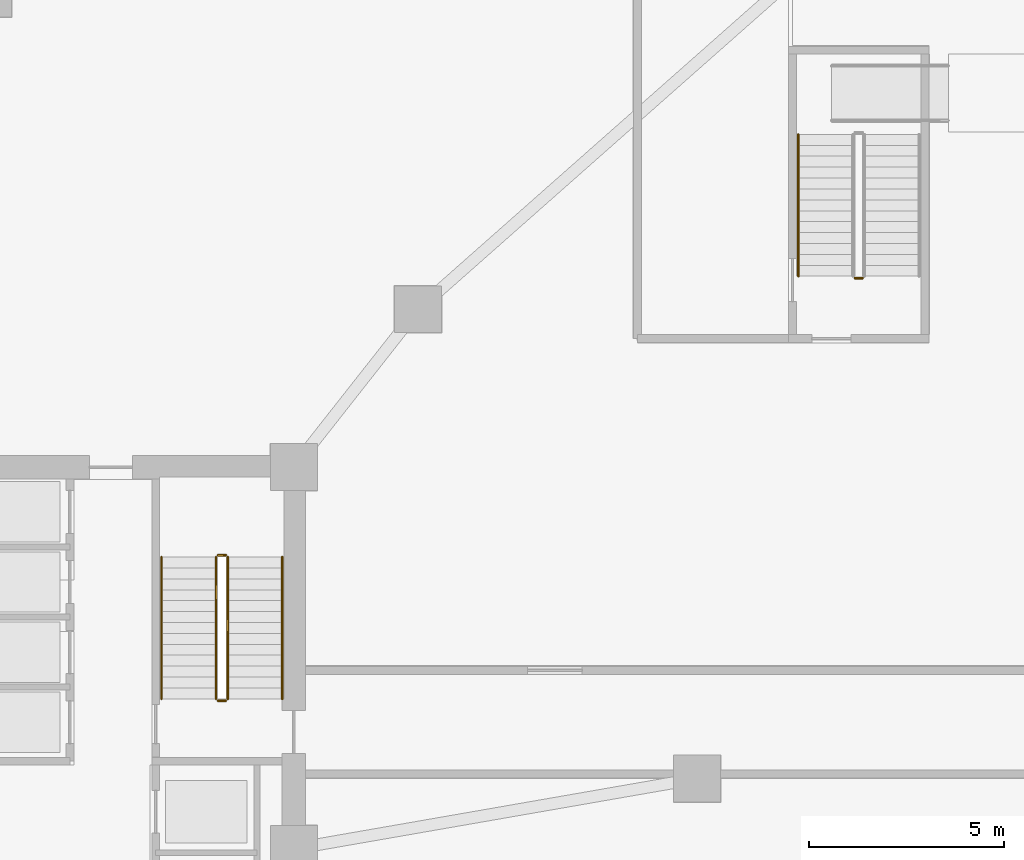
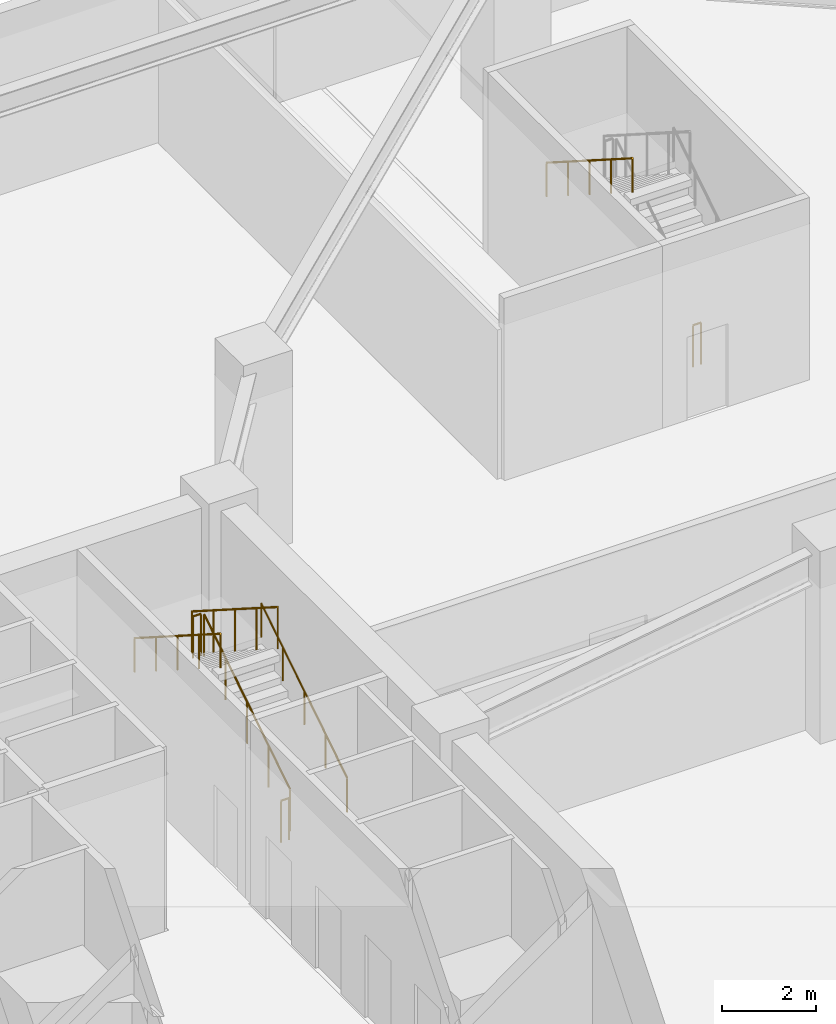
# One storey, part 17 of 22: 8 railings.
"""IFC4 building model written with IfcOpenShell, lengths in metres."""

import ifcopenshell
import ifcopenshell.guid

model = None  # the IFC model being written
_history = None  # IfcOwnerHistory: only IFC2X3 demands one
_inside = {}  # id of a spatial element -> (the spatial element, [elements in it])
_under = {}  # id of a project, library or spatial element -> (it, [spatial elements below it])
_declared = {}  # id of a project -> (the project, [libraries it declares])
_typed = {}  # id of a type object -> (the type object, [elements of that type])
_made_of = {}  # id of a material, layer set ... -> (it, [elements and type objects made of it])


def new_model(schema):
    """Start an empty IFC model of exactly this schema.

    Asked for "IFC4X3", IfcOpenShell would pick the latest addendum, in which some entities
    have other attributes; the version numbers below select the first issue.
    IFC2X3 requires an IfcOwnerHistory on every rooted entity: one is made here for all.
    """
    global model, _history
    if schema == "IFC4X3":
        model = ifcopenshell.file(schema_version=(4, 3, 0, 0))
    else:
        model = ifcopenshell.file(schema=schema)
    _inside.clear()
    _under.clear()
    _declared.clear()
    _typed.clear()
    _made_of.clear()
    _history = None
    if model.schema == "IFC2X3":
        org = make("IfcOrganization", Name="unknown")
        user = make(
            "IfcPersonAndOrganization",
            ThePerson=make("IfcPerson", FamilyName="unknown"),
            TheOrganization=org,
        )
        app = make(
            "IfcApplication",
            ApplicationDeveloper=org,
            Version="unknown",
            ApplicationFullName="unknown",
            ApplicationIdentifier="unknown",
        )
        _history = make(
            "IfcOwnerHistory",
            OwningUser=user,
            OwningApplication=app,
            ChangeAction="ADDED",
            CreationDate=0,
        )
    return model


def make(cls, **values):
    """One entity of the class cls with the attributes given. An attribute that is None is left unset."""
    return model.create_entity(
        cls, **{name: value for name, value in values.items() if value is not None}
    )


def rooted(cls, **values):
    """An entity with a GlobalId (a new one), such as an element, a storey or a relation."""
    return make(cls, GlobalId=ifcopenshell.guid.new(), OwnerHistory=_history, **values)


def si_unit(unit_type, name, prefix=None):
    """IfcSIUnit, for example si_unit("LENGTHUNIT", "METRE", prefix="MILLI")."""
    return make("IfcSIUnit", UnitType=unit_type, Prefix=prefix, Name=name)


def assignment(units):
    """IfcUnitAssignment: the units of a project."""
    return None if units is None else make("IfcUnitAssignment", Units=units)


def point(xyz):
    """IfcCartesianPoint."""
    return None if xyz is None else make("IfcCartesianPoint", Coordinates=xyz)


def direction(xyz):
    """IfcDirection."""
    return None if xyz is None else make("IfcDirection", DirectionRatios=xyz)


def frame(location, z_axis=None, x_axis=None):
    """IfcAxis2Placement3D, a coordinate frame: its origin and axes. An axis left out is left unset."""
    return make(
        "IfcAxis2Placement3D",
        Location=point(location),
        Axis=direction(z_axis),
        RefDirection=direction(x_axis),
    )


def frame_2d(location, x_axis=None):
    """IfcAxis2Placement2D, a coordinate frame in the plane: its origin and x axis."""
    return make(
        "IfcAxis2Placement2D", Location=point(location), RefDirection=direction(x_axis)
    )


def origin():
    """The frame at (0, 0, 0) with its axes left unset."""
    return frame((0.0, 0.0, 0.0))


def origin_2d():
    """The frame at (0, 0) in the plane with its x axis left unset."""
    return frame_2d((0.0, 0.0))


def place(relative_to, where):
    """IfcLocalPlacement: puts the frame where relative to a parent placement (None: the world)."""
    return make(
        "IfcLocalPlacement", PlacementRelTo=relative_to, RelativePlacement=where
    )


def context(
    kind, dimensions, precision=None, world=None, true_north=None, identifier=None
):
    """IfcGeometricRepresentationContext, for example the 3D "Model" context."""
    return make(
        "IfcGeometricRepresentationContext",
        ContextIdentifier=identifier,
        ContextType=kind,
        CoordinateSpaceDimension=dimensions,
        Precision=precision,
        WorldCoordinateSystem=world,
        TrueNorth=true_north,
    )


def subcontext(parent, identifier, kind, view, scale=None):
    """IfcGeometricRepresentationSubContext, for example "Body" below "Model"."""
    return make(
        "IfcGeometricRepresentationSubContext",
        ContextIdentifier=identifier,
        ContextType=kind,
        ParentContext=parent,
        TargetScale=scale,
        TargetView=view,
    )


def project(units=None, contexts=None):
    """IfcProject with its units and contexts."""
    return rooted(
        "IfcProject",
        Name="project",
        RepresentationContexts=contexts,
        UnitsInContext=assignment(units),
    )


def spatial(cls, under=None, at=None, **own):
    """A site, building, storey or space (cls), placed at a placement, below another one or the project."""
    s = rooted(cls, ObjectPlacement=at, **own)
    if under is not None:
        _under.setdefault(under.id(), (under, []))[1].append(s)
    return s


def profile(cls, at=None, kind="AREA", **sizes):
    """A parametric profile (cls). Its sizes go by their IFC names, for example OverallWidth=200.0."""
    return make(cls, ProfileType=kind, Position=at, **sizes)


def circle(**sizes):
    """IfcCircleProfileDef."""
    return profile("IfcCircleProfileDef", **sizes)


def extrude(swept, where, along, depth):
    """IfcExtrudedAreaSolid: the profile swept, set in the frame where, extruded along a direction by depth."""
    return make(
        "IfcExtrudedAreaSolid",
        SweptArea=swept,
        Position=where,
        ExtrudedDirection=direction(along),
        Depth=depth,
    )


def shape(context_of_items, identifier, shape_type, items):
    """IfcShapeRepresentation: the items that make up one representation, for example the "Body"."""
    return make(
        "IfcShapeRepresentation",
        ContextOfItems=context_of_items,
        RepresentationIdentifier=identifier,
        RepresentationType=shape_type,
        Items=items,
    )


def material(Name=None, Category=None):
    """IfcMaterial."""
    return make("IfcMaterial", Name=Name, Category=Category)


def made_of(thing, what):
    """Note that an element or type object is made of a material, layer set ...; save() writes the relation."""
    if what is not None:
        _made_of.setdefault(what.id(), (what, []))[1].append(thing)
    return thing


def type_object(cls, material=None, **own):
    """A type object (cls), such as IfcWallType, which elements share."""
    return made_of(rooted(cls, **own), material)


def element(
    cls,
    number,
    at=None,
    inside=None,
    cuts=None,
    type_object=None,
    material=None,
    context=None,
    identifier="Body",
    shape_type=None,
    held_by="IfcProductDefinitionShape",
    body=None,
    shapes=None,
    **own,
):
    """One element of the class cls, such as IfcWall. Its Tag is "e" and its number.

    at: its placement. inside: the storey or other place that contains it. cuts: it is an
    opening in that element (IfcRelVoidsElement). A single representation is given by context,
    identifier, shape_type and body (its items); several are given by shapes. held_by: the class
    of the entity that holds the representations. save() writes the other relations.
    """
    e = rooted(cls, Tag="e%d" % number, ObjectPlacement=at, **own)
    if body is not None:
        shapes = [shape(context, identifier, shape_type, body)]
    if shapes is not None:
        e.Representation = make(held_by, Representations=shapes)
    if inside is not None:
        _inside.setdefault(inside.id(), (inside, []))[1].append(e)
    if cuts is not None:
        rooted(
            "IfcRelVoidsElement", RelatingBuildingElement=cuts, RelatedOpeningElement=e
        )
    if type_object is not None:
        _typed.setdefault(type_object.id(), (type_object, []))[1].append(e)
    return made_of(e, material)


def aggregate(whole, parts):
    """IfcRelAggregates: a whole, such as a stair, and the parts it consists of."""
    return rooted("IfcRelAggregates", RelatingObject=whole, RelatedObjects=parts)


def save(model, path):
    """Write the relations noted so far, then the file.

    IfcRelAggregates (storeys below a building ...), IfcRelContainedInSpatialStructure (elements
    in a storey), IfcRelDefinesByType, IfcRelAssociatesMaterial and IfcRelDeclares: one each for
    every whole, place, type object, material and project.
    """
    for whole, parts in _under.values():
        aggregate(whole, parts)
    for where, things in _inside.values():
        rooted(
            "IfcRelContainedInSpatialStructure",
            RelatedElements=things,
            RelatingStructure=where,
        )
    for kind, things in _typed.values():
        rooted("IfcRelDefinesByType", RelatedObjects=things, RelatingType=kind)
    for what, things in _made_of.values():
        rooted("IfcRelAssociatesMaterial", RelatedObjects=things, RelatingMaterial=what)
    for by, libraries in _declared.values():
        rooted("IfcRelDeclares", RelatingContext=by, RelatedDefinitions=libraries)
    model.write(path)


model = new_model("IFC4")

# Units and contexts
model_context = context("Model", 3, precision=1e-05, world=origin(), true_north=direction((0.0, 1.0)))
body_context = subcontext(model_context, "Body", "Model", "MODEL_VIEW")
ifc_project = project(units=[si_unit("LENGTHUNIT", "METRE"), si_unit("AREAUNIT", "SQUARE_METRE"), si_unit("VOLUMEUNIT", "CUBIC_METRE"), si_unit("PLANEANGLEUNIT", "RADIAN"), si_unit("MASSUNIT", "GRAM", prefix="KILO")], contexts=[model_context])

# Site, building, storey
site_placement = place(None, origin())
site = spatial("IfcSite", under=ifc_project, at=site_placement, CompositionType="ELEMENT")
building_placement = place(site_placement, origin())
building = spatial("IfcBuilding", under=site, at=building_placement, Name="Savorim Split Tower", CompositionType="ELEMENT")
storey_placement = place(building_placement, origin())
storey = spatial("IfcBuildingStorey", under=building, at=storey_placement, Name="L00", CompositionType="ELEMENT", Elevation=0.0)

# Railings
ifc_material = material(Name="Galvanised Painted Steel Balustrade", Category="steel")
railing_type_1 = type_object("IfcRailingType", Name="RLG-HR-900", PredefinedType="HANDRAIL", material=ifc_material)
railing_1_placement = place(storey_placement, frame((7.39990234375, 4.25, 0.178466796875)))
element("IfcRailing", 1, at=railing_1_placement, inside=storey, type_object=railing_type_1, Name="L00 ST-2 stair handrail 1", PredefinedType="HANDRAIL", context=body_context, shape_type="SweptSolid", body=[
    extrude(circle(Radius=0.02392578125, at=origin_2d()), frame((0.0, 0.0, 0.8759765625), z_axis=(0.0, 0.843111507901, 0.53773877045), x_axis=(-1.0, 0.0, 0.0)), (0.0, 0.0, 1.0), 4.317138671875),
    extrude(circle(Radius=0.02099609375, at=origin_2d()), origin(), (0.0, 0.0, 1.0), 0.851806640625),
    extrude(circle(Radius=0.02099609375, at=origin_2d()), frame((0.0, 0.909912109375, 0.580322265625)), (0.0, 0.0, 1.0), 0.851806640625),
    extrude(circle(Radius=0.02099609375, at=origin_2d()), frame((0.0, 1.81982421875, 1.16064453125)), (0.0, 0.0, 1.0), 0.851806640625),
    extrude(circle(Radius=0.02099609375, at=origin_2d()), frame((0.0, 2.72998046875, 1.7412109375)), (0.0, 0.0, 1.0), 0.851806640625),
    extrude(circle(Radius=0.02099609375, at=origin_2d()), frame((0.0, 3.639892578125, 2.321533203125)), (0.0, 0.0, 1.0), 0.851806640625),
])
for number, where, name in (
    (2, (4.300048828125, 7.889892578125, 2.678466796875), "L00 ST-2 stair handrail 2"),
    (3, (20.64990234375, 18.739990234375, 2.678466796875), "L00 ST-3 stair handrail 2"),
):
    element("IfcRailing", number, at=place(storey_placement, frame(where)), inside=storey, type_object=railing_type_1, Name=name, PredefinedType="HANDRAIL", context=body_context, shape_type="SweptSolid", body=[
        extrude(circle(Radius=0.02392578125, at=origin_2d()), frame((0.0, 0.0, 0.8759765625), z_axis=(0.0, -0.843111507901, 0.53773877045), x_axis=(1.0, 0.0, 0.0)), (0.0, 0.0, 1.0), 4.317138671875),
        extrude(circle(Radius=0.02099609375, at=origin_2d()), origin(), (0.0, 0.0, 1.0), 0.851806640625),
        extrude(circle(Radius=0.02099609375, at=origin_2d()), frame((0.0, -0.909912109375, 0.580322265625)), (0.0, 0.0, 1.0), 0.851806640625),
        extrude(circle(Radius=0.02099609375, at=origin_2d()), frame((0.0, -1.81982421875, 1.16064453125)), (0.0, 0.0, 1.0), 0.851806640625),
        extrude(circle(Radius=0.02099609375, at=origin_2d()), frame((0.0, -2.72998046875, 1.7412109375)), (0.0, 0.0, 1.0), 0.851806640625),
        extrude(circle(Radius=0.02099609375, at=origin_2d()), frame((0.0, -3.639892578125, 2.321533203125)), (0.0, 0.0, 1.0), 0.851806640625),
    ])
railing_type_2 = type_object("IfcRailingType", Name="RLG-STG-1100", PredefinedType="BALUSTRADE", material=ifc_material)
railing_2_placement = place(storey_placement, frame((6.0, 4.25, 0.178466796875)))
element("IfcRailing", 4, at=railing_2_placement, inside=storey, type_object=railing_type_2, Name="L00 ST-2 stair guard 1", PredefinedType="BALUSTRADE", context=body_context, shape_type="SweptSolid", body=[
    extrude(circle(Radius=0.02392578125, at=origin_2d()), frame((0.0, 0.0, 1.076171875), z_axis=(0.0, 0.843111507901, 0.53773877045), x_axis=(-1.0, 0.0, 0.0)), (0.0, 0.0, 1.0), 4.317138671875),
    extrude(circle(Radius=0.02099609375, at=origin_2d()), origin(), (0.0, 0.0, 1.0), 1.052001953125),
    extrude(circle(Radius=0.02099609375, at=origin_2d()), frame((0.0, 0.909912109375, 0.580322265625)), (0.0, 0.0, 1.0), 1.052001953125),
    extrude(circle(Radius=0.02099609375, at=origin_2d()), frame((0.0, 1.81982421875, 1.16064453125)), (0.0, 0.0, 1.0), 1.052001953125),
    extrude(circle(Radius=0.02099609375, at=origin_2d()), frame((0.0, 2.72998046875, 1.7412109375)), (0.0, 0.0, 1.0), 1.052001953125),
    extrude(circle(Radius=0.02099609375, at=origin_2d()), frame((0.0, 3.639892578125, 2.321533203125)), (0.0, 0.0, 1.0), 1.052001953125),
])
railing_3_placement = place(storey_placement, frame((5.949951171875, 7.93994140625, 2.5)))
element("IfcRailing", 5, at=railing_3_placement, inside=storey, type_object=railing_type_2, Name="L00 ST-2 stair guard 2", PredefinedType="BALUSTRADE", context=body_context, shape_type="SweptSolid", body=[
    extrude(circle(Radius=0.02392578125, at=origin_2d()), frame((0.0, 0.0, 1.076171875), z_axis=(-1.0, 0.0, 0.0), x_axis=(0.0, -1.0, 0.0)), (0.0, 0.0, 1.0), 0.199951171875),
    extrude(circle(Radius=0.02099609375, at=origin_2d()), origin(), (0.0, 0.0, 1.0), 1.052001953125),
    extrude(circle(Radius=0.02099609375, at=origin_2d()), frame((-0.199951171875, 0.0, 0.0)), (0.0, 0.0, 1.0), 1.052001953125),
])
railing_4_placement = place(storey_placement, frame((5.699951171875, 7.889892578125, 2.678466796875)))
element("IfcRailing", 6, at=railing_4_placement, inside=storey, type_object=railing_type_2, Name="L00 ST-2 stair guard 3", PredefinedType="BALUSTRADE", context=body_context, shape_type="SweptSolid", body=[
    extrude(circle(Radius=0.02392578125, at=origin_2d()), frame((0.0, 0.0, 1.076171875), z_axis=(0.0, -0.843111507901, 0.53773877045), x_axis=(1.0, 0.0, 0.0)), (0.0, 0.0, 1.0), 4.317138671875),
    extrude(circle(Radius=0.02099609375, at=origin_2d()), origin(), (0.0, 0.0, 1.0), 1.052001953125),
    extrude(circle(Radius=0.02099609375, at=origin_2d()), frame((0.0, -0.909912109375, 0.580322265625)), (0.0, 0.0, 1.0), 1.052001953125),
    extrude(circle(Radius=0.02099609375, at=origin_2d()), frame((0.0, -1.81982421875, 1.16064453125)), (0.0, 0.0, 1.0), 1.052001953125),
    extrude(circle(Radius=0.02099609375, at=origin_2d()), frame((0.0, -2.72998046875, 1.7412109375)), (0.0, 0.0, 1.0), 1.052001953125),
    extrude(circle(Radius=0.02099609375, at=origin_2d()), frame((0.0, -3.639892578125, 2.321533203125)), (0.0, 0.0, 1.0), 1.052001953125),
])
for number, where, name in (
    (7, (5.949951171875, 4.199951171875, 0.0), "L00 ST-2 stair guard 4"),
    (8, (22.300048828125, 15.050048828125, 0.0), "L00 ST-3 stair guard 4"),
):
    element("IfcRailing", number, at=place(storey_placement, frame(where)), inside=storey, type_object=railing_type_2, Name=name, PredefinedType="BALUSTRADE", context=body_context, shape_type="SweptSolid", body=[
        extrude(circle(Radius=0.02392578125, at=origin_2d()), frame((0.0, 0.0, 1.076171875), z_axis=(-1.0, 0.0, 0.0), x_axis=(0.0, -1.0, 0.0)), (0.0, 0.0, 1.0), 0.199951171875),
        extrude(circle(Radius=0.02099609375, at=origin_2d()), origin(), (0.0, 0.0, 1.0), 1.052001953125),
        extrude(circle(Radius=0.02099609375, at=origin_2d()), frame((-0.199951171875, 0.0, 0.0)), (0.0, 0.0, 1.0), 1.052001953125),
    ])

save(model, "model.ifc")
